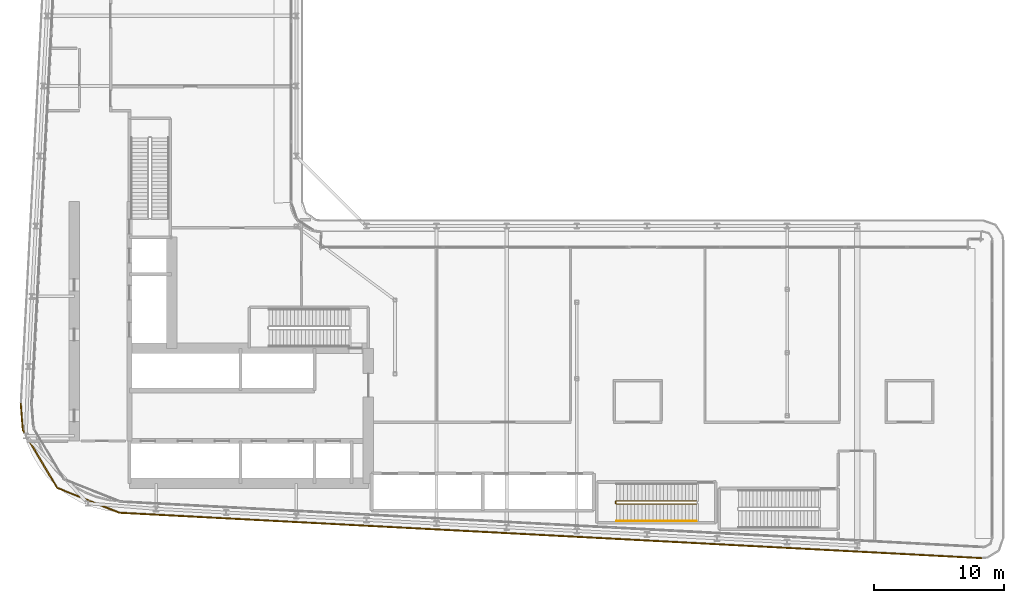
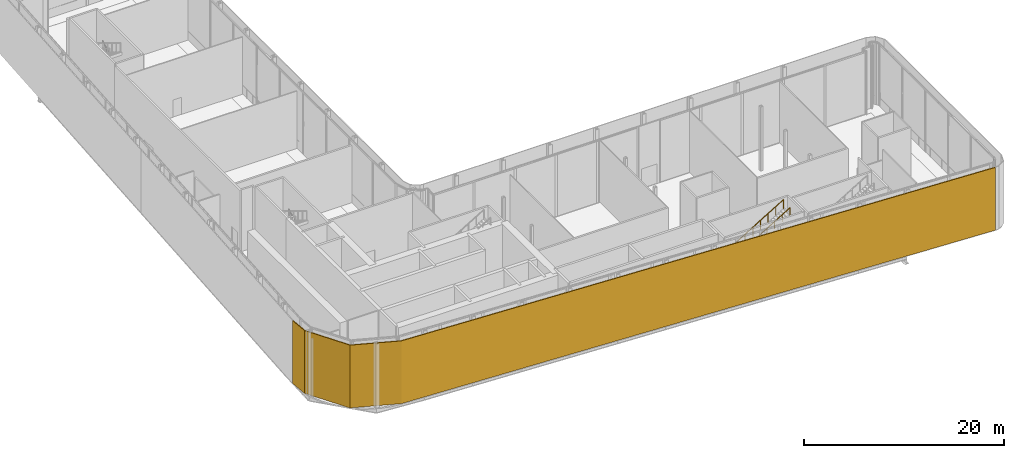
# One storey, part 33 of 37: 2 railings, 1 shading device.
"""IFC4 building model written with IfcOpenShell, lengths in metres."""

from ifc_helpers import new_model, si_unit, direction, frame, origin, origin_2d, place, context, subcontext, project, spatial, polyline, circle, outline, extrude, material, layer, layer_set, type_object, element, save


model = new_model("IFC4")

# Units and contexts
model_context = context("Model", 3, precision=1e-05, world=origin(), true_north=direction((0.0, 1.0)))
body_context = subcontext(model_context, "Body", "Model", "MODEL_VIEW")
ifc_project = project(units=[si_unit("LENGTHUNIT", "METRE"), si_unit("AREAUNIT", "SQUARE_METRE"), si_unit("VOLUMEUNIT", "CUBIC_METRE"), si_unit("PLANEANGLEUNIT", "RADIAN"), si_unit("MASSUNIT", "GRAM", prefix="KILO")], contexts=[model_context])

# Site, building, storey
site_placement = place(None, origin())
site = spatial("IfcSite", under=ifc_project, at=site_placement, CompositionType="ELEMENT")
building_placement = place(site_placement, origin())
building = spatial("IfcBuilding", under=site, at=building_placement, Name="Kheshtan School and Residences Tower", CompositionType="ELEMENT")
storey_placement = place(building_placement, frame((0.0, 0.0, 144.800048828125)))
storey = spatial("IfcBuildingStorey", under=building, at=storey_placement, Name="L34", CompositionType="ELEMENT", Elevation=144.800048828125)

# Shading device
ifc_material_1 = material(Name="Terracotta baguette, extruded ceramic", Category="masonry")
ifc_layer = layer(ifc_material_1, 0.10009765625)
ifc_layer_set = layer_set([ifc_layer], Name="Ledge screen, terracotta baguettes")
shading_device_type = type_object("IfcShadingDeviceType", Name="Ledge screen, terracotta baguettes", PredefinedType="USERDEFINED", material=ifc_layer_set)
shading_device_placement = place(storey_placement, origin())
element("IfcShadingDevice", 1, at=shading_device_placement, inside=storey, type_object=shading_device_type, Name="Screen L34 5", ObjectType="BAGUETTE", PredefinedType="USERDEFINED", context=body_context, shape_type="SweptSolid", body=[
    extrude(outline(polyline([(100.4208984375, 20.0830078125), (33.989013671875, 23.580078125), (29.2119140625, 25.486083984375), (26.583984375, 29.906982421875), (26.419921875, 31.989013671875), (26.320068359375, 31.98095703125), (26.486083984375, 29.8759765625), (29.14306640625, 25.406005859375), (33.967041015625, 23.48095703125), (100.416015625, 19.98291015625), (100.4208984375, 20.0830078125)])), origin(), (0.0, 0.0, 1.0), 7.64990234375),
])

# Railings
ifc_material_2 = material(Name="Stainless steel balustrade", Category="steel")
railing_type_1 = type_object("IfcRailingType", Name="Stair guard 1100", PredefinedType="GUARDRAIL", material=ifc_material_2)
railing_1_placement = place(storey_placement, frame((78.409912109375, 24.449951171875, 0.16943359375)))
element("IfcRailing", 2, at=railing_1_placement, inside=storey, type_object=railing_type_1, Name="L34 ST5 stair guard 1", PredefinedType="GUARDRAIL", context=body_context, shape_type="SweptSolid", body=[
    extrude(circle(Radius=0.02392578125, at=origin_2d()), frame((0.0, 0.0, 1.076171875), z_axis=(-0.855370820849, 0.0, 0.518016176234), x_axis=(0.0, -1.0, 0.0)), (0.0, 0.0, 1.0), 7.201416015625),
    extrude(circle(Radius=0.02392578125, at=origin_2d()), frame((-6.159912109375, 0.0, 4.806640625), z_axis=(-0.707106781187, -0.707106781187, 0.0), x_axis=(0.707106781187, -0.707106781187, 0.0)), (0.0, 0.0, 1.0), 0.07080078125),
    extrude(circle(Radius=0.02392578125, at=origin_2d()), frame((-6.2099609375, -0.050048828125, 4.806640625), z_axis=(0.0, -1.0, 0.0), x_axis=(1.0, 0.0, 0.0)), (0.0, 0.0, 1.0), 0.14990234375),
    extrude(circle(Radius=0.02392578125, at=origin_2d()), frame((-6.2099609375, -0.199951171875, 4.806640625), z_axis=(0.272228512635, -0.272228512635, 0.92292105503), x_axis=(0.707106781187, 0.707106781187, 0.0)), (0.0, 0.0, 1.0), 0.183837890625),
    extrude(circle(Radius=0.02392578125, at=origin_2d()), frame((-6.159912109375, -0.25, 4.97607421875), z_axis=(0.855370820849, 0.0, 0.518016176234), x_axis=(0.0, 1.0, 0.0)), (0.0, 0.0, 1.0), 7.201416015625),
    extrude(circle(Radius=0.02099609375, at=origin_2d()), origin(), (0.0, 0.0, 1.0), 1.052001953125),
    extrude(circle(Radius=0.02099609375, at=origin_2d()), frame((-0.8798828125, 0.0, 0.532958984375)), (0.0, 0.0, 1.0), 1.052001953125),
    extrude(circle(Radius=0.02099609375, at=origin_2d()), frame((-1.760009765625, 0.0, 1.06591796875)), (0.0, 0.0, 1.0), 1.052001953125),
    extrude(circle(Radius=0.02099609375, at=origin_2d()), frame((-2.639892578125, 0.0, 1.598876953125)), (0.0, 0.0, 1.0), 1.052001953125),
    extrude(circle(Radius=0.02099609375, at=origin_2d()), frame((-3.52001953125, 0.0, 2.131591796875)), (0.0, 0.0, 1.0), 1.052001953125),
    extrude(circle(Radius=0.02099609375, at=origin_2d()), frame((-4.39990234375, 0.0, 2.66455078125)), (0.0, 0.0, 1.0), 1.052001953125),
    extrude(circle(Radius=0.02099609375, at=origin_2d()), frame((-5.280029296875, 0.0, 3.197509765625)), (0.0, 0.0, 1.0), 1.052001953125),
    extrude(circle(Radius=0.02099609375, at=origin_2d()), frame((-6.159912109375, 0.0, 3.73046875)), (0.0, 0.0, 1.0), 1.052001953125),
    extrude(circle(Radius=0.02099609375, at=origin_2d()), frame((-6.2099609375, -0.050048828125, 3.73046875)), (0.0, 0.0, 1.0), 1.052001953125),
    extrude(circle(Radius=0.02099609375, at=origin_2d()), frame((-6.2099609375, -0.199951171875, 3.73046875)), (0.0, 0.0, 1.0), 1.052001953125),
    extrude(circle(Radius=0.02099609375, at=origin_2d()), frame((-6.159912109375, -0.25, 3.900146484375)), (0.0, 0.0, 1.0), 1.052001953125),
    extrude(circle(Radius=0.02099609375, at=origin_2d()), frame((-5.280029296875, -0.25, 4.43310546875)), (0.0, 0.0, 1.0), 1.052001953125),
    extrude(circle(Radius=0.02099609375, at=origin_2d()), frame((-4.39990234375, -0.25, 4.966064453125)), (0.0, 0.0, 1.0), 1.052001953125),
    extrude(circle(Radius=0.02099609375, at=origin_2d()), frame((-3.52001953125, -0.25, 5.4990234375)), (0.0, 0.0, 1.0), 1.052001953125),
    extrude(circle(Radius=0.02099609375, at=origin_2d()), frame((-2.639892578125, -0.25, 6.03173828125)), (0.0, 0.0, 1.0), 1.052001953125),
    extrude(circle(Radius=0.02099609375, at=origin_2d()), frame((-1.760009765625, -0.25, 6.564697265625)), (0.0, 0.0, 1.0), 1.052001953125),
    extrude(circle(Radius=0.02099609375, at=origin_2d()), frame((-0.8798828125, -0.25, 7.09765625)), (0.0, 0.0, 1.0), 1.052001953125),
    extrude(circle(Radius=0.02099609375, at=origin_2d()), frame((0.0, -0.25, 7.630615234375)), (0.0, 0.0, 1.0), 1.052001953125),
])
ifc_material_3 = material(Name="Stainless steel handrail", Category="steel")
railing_type_2 = type_object("IfcRailingType", Name="Stair handrail 900", PredefinedType="HANDRAIL", material=ifc_material_3)
railing_2_placement = place(storey_placement, frame((72.25, 22.89990234375, 4.069580078125)))
element("IfcRailing", 3, at=railing_2_placement, inside=storey, type_object=railing_type_2, Name="L34 ST5 stair handrail 2", PredefinedType="HANDRAIL", context=body_context, shape_type="SweptSolid", body=[
    extrude(circle(Radius=0.02392578125, at=origin_2d()), frame((0.0, 0.0, 0.8759765625), z_axis=(0.855370820849, 0.0, 0.518016176234), x_axis=(0.0, 1.0, 0.0)), (0.0, 0.0, 1.0), 7.201416015625),
    extrude(circle(Radius=0.02099609375, at=origin_2d()), origin(), (0.0, 0.0, 1.0), 0.851806640625),
    extrude(circle(Radius=0.02099609375, at=origin_2d()), frame((0.8798828125, 0.0, 0.532958984375)), (0.0, 0.0, 1.0), 0.851806640625),
    extrude(circle(Radius=0.02099609375, at=origin_2d()), frame((1.760009765625, 0.0, 1.06591796875)), (0.0, 0.0, 1.0), 0.851806640625),
    extrude(circle(Radius=0.02099609375, at=origin_2d()), frame((2.639892578125, 0.0, 1.598876953125)), (0.0, 0.0, 1.0), 0.851806640625),
    extrude(circle(Radius=0.02099609375, at=origin_2d()), frame((3.52001953125, 0.0, 2.131591796875)), (0.0, 0.0, 1.0), 0.851806640625),
    extrude(circle(Radius=0.02099609375, at=origin_2d()), frame((4.39990234375, 0.0, 2.66455078125)), (0.0, 0.0, 1.0), 0.851806640625),
    extrude(circle(Radius=0.02099609375, at=origin_2d()), frame((5.280029296875, 0.0, 3.197509765625)), (0.0, 0.0, 1.0), 0.851806640625),
    extrude(circle(Radius=0.02099609375, at=origin_2d()), frame((6.159912109375, 0.0, 3.73046875)), (0.0, 0.0, 1.0), 0.851806640625),
])

save(model, "model.ifc")
